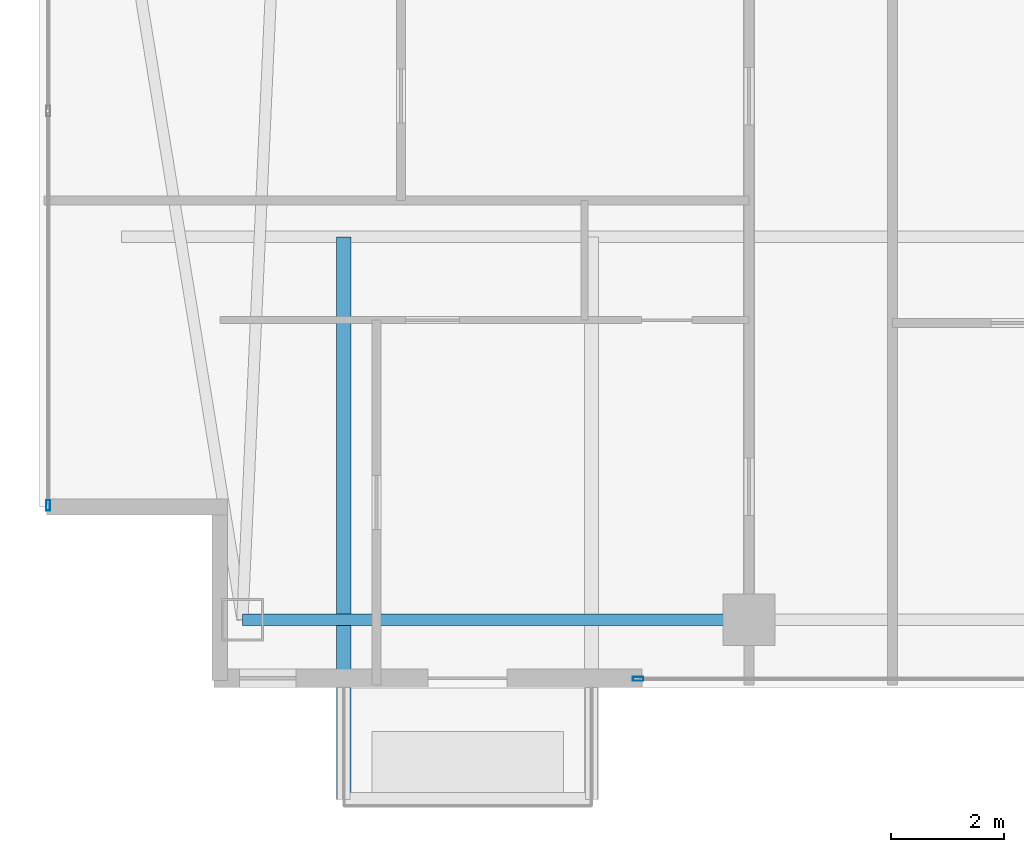
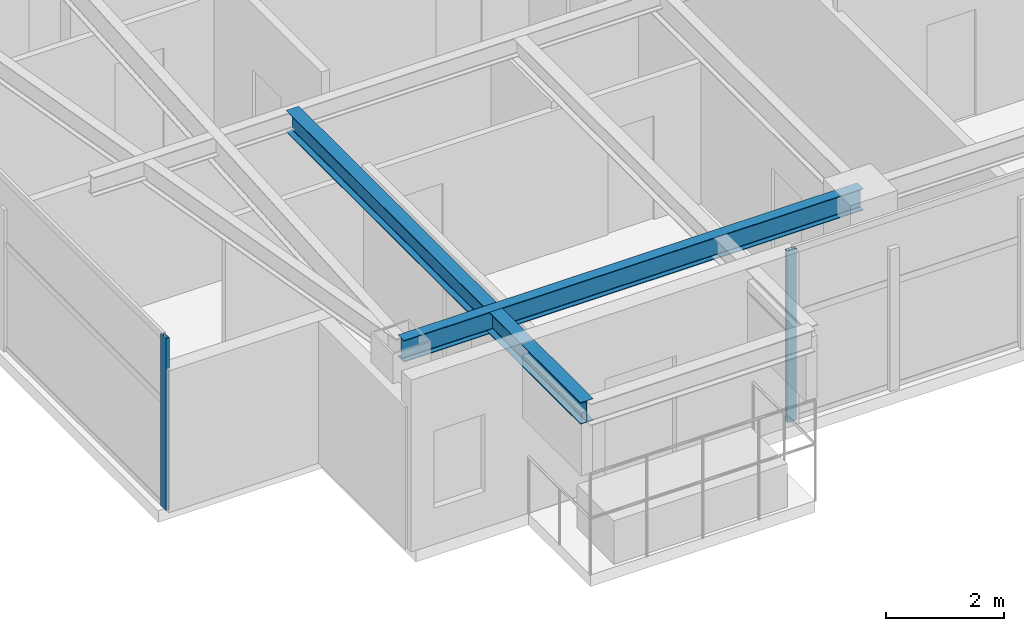
# One storey, part 2 of 30: 2 beams, 2 members, 2 elements without a shape of their own.
"""IFC4 building model written with IfcOpenShell, lengths in metres."""

from ifc_helpers import new_model, si_unit, direction, frame, origin, origin_2d, place, context, subcontext, project, spatial, hollow_rectangle, i_section, extrude, material, layer, layer_set, material_profile, profile_set, type_object, element, aggregate, save


model = new_model("IFC4")

# Units and contexts
model_context = context("Model", 3, precision=1e-05, world=origin(), true_north=direction((0.0, 1.0)))
body_context = subcontext(model_context, "Body", "Model", "MODEL_VIEW")
ifc_project = project(units=[si_unit("LENGTHUNIT", "METRE"), si_unit("AREAUNIT", "SQUARE_METRE"), si_unit("VOLUMEUNIT", "CUBIC_METRE"), si_unit("PLANEANGLEUNIT", "RADIAN"), si_unit("MASSUNIT", "GRAM", prefix="KILO")], contexts=[model_context])

# Site, building, storey
site_placement = place(None, origin())
site = spatial("IfcSite", under=ifc_project, at=site_placement, CompositionType="ELEMENT")
building_placement = place(site_placement, origin())
building = spatial("IfcBuilding", under=site, at=building_placement, Name="Calvorn Quay Hotel", CompositionType="ELEMENT")
storey_placement = place(building_placement, frame((0.0, 0.0, 207.199951171875)))
storey = spatial("IfcBuildingStorey", under=building, at=storey_placement, Name="L51", CompositionType="ELEMENT", Elevation=207.199951171875)

# Beams
ifc_material_1 = material(Name="Steel Q355B", Category="steel")
ifc_material_profile_1 = material_profile(ifc_material_1, i_section(OverallWidth=0.25, OverallDepth=0.449951171875, WebThickness=0.011962890625, FlangeThickness=0.01611328125, FilletRadius=0.01611328125, at=origin_2d()), Name="HN450x250x12x16")
ifc_profile_set_1 = profile_set([ifc_material_profile_1], Name="Steel Q355B")
beam_type_1 = type_object("IfcBeamType", Name="BM-CANT-BALC", PredefinedType="BEAM", material=ifc_profile_set_1)
beam_1_placement = place(storey_placement, frame((5.39990234375, 10.39990234375, 3.31494140625), z_axis=(0.0, -1.0, 0.0), x_axis=(1.0, 0.0, 0.0)))
element("IfcBeam", 1, at=beam_1_placement, inside=storey, type_object=beam_type_1, Name="Cantilever Balcony Beam BCB-L52-2A", PredefinedType="BEAM", context=body_context, shape_type="SweptSolid", body=[
    extrude(i_section(OverallWidth=0.25, OverallDepth=0.449951171875, WebThickness=0.011962890625, FlangeThickness=0.01611328125, FilletRadius=0.01611328125, at=origin_2d()), origin(), (0.0, 0.0, 1.0), 9.989990234375),
])
ifc_material_2 = material(Name="Steel Q355B", Category="steel")
ifc_material_profile_2 = material_profile(ifc_material_2, i_section(OverallWidth=0.199951171875, OverallDepth=0.449951171875, WebThickness=0.009033203125, FlangeThickness=0.013916015625, FilletRadius=0.01611328125, at=origin_2d()), Name="HN450x200x9x14")
ifc_profile_set_2 = profile_set([ifc_material_profile_2], Name="Steel Q355B")
beam_type_2 = type_object("IfcBeamType", Name="BM-SPANDREL-Z3", PredefinedType="SPANDREL", material=ifc_profile_set_2)
beam_2_placement = place(storey_placement, frame((3.60009765625, 3.60009765625, 3.31494140625), z_axis=(1.0, 0.0, 0.0), x_axis=(0.0, 1.0, 0.0)))
element("IfcBeam", 2, at=beam_2_placement, inside=storey, type_object=beam_type_2, Name="Beam BSP-L51-S1", PredefinedType="SPANDREL", context=body_context, shape_type="SweptSolid", body=[
    extrude(i_section(OverallWidth=0.199951171875, OverallDepth=0.449951171875, WebThickness=0.009033203125, FlangeThickness=0.013916015625, FilletRadius=0.01611328125, at=origin_2d()), origin(), (0.0, 0.0, 1.0), 9.0),
])

# Curtain wall, member
ifc_material_3 = material(Name="Champagne Bronze Anodised Aluminium and Low-E Glass", Category="aluminium")
ifc_layer = layer(ifc_material_3, 0.219970703125)
ifc_layer_set = layer_set([ifc_layer], Name="CW-SYS-Z3")
curtain_wall_type = type_object("IfcCurtainWallType", Name="CW-SYS-Z3", PredefinedType="NOTDEFINED", material=ifc_layer_set)
curtain_wall_1_placement = place(storey_placement, origin())
curtain_wall_1 = element("IfcCurtainWall", 3, at=curtain_wall_1_placement, inside=storey, type_object=curtain_wall_type, Name="Tower West Curtain Wall (L51)", PredefinedType="NOTDEFINED")
ifc_material_4 = material(Name="Champagne Bronze Anodised Aluminium 6063-T6", Category="aluminium")
ifc_material_profile_3 = material_profile(ifc_material_4, hollow_rectangle(XDim=0.068115234375, YDim=0.18505859375, WallThickness=0.00390625, at=origin_2d()), Name="ALU-M185x68x4")
ifc_profile_set_3 = profile_set([ifc_material_profile_3], Name="Champagne Bronze Anodised Aluminium 6063-T6")
member_type = type_object("IfcMemberType", Name="CW-SYS-Z3-MUL", PredefinedType="MULLION", material=ifc_profile_set_3)
member_1_placement = place(storey_placement, frame((0.14990234375, 5.6298828125, 0.0), z_axis=(0.0, 0.0, 1.0), x_axis=(-1.0, 0.0, 0.0)))
member_1 = element("IfcMember", 4, at=member_1_placement, type_object=member_type, Name="CW-L51-W mullion 1", PredefinedType="MULLION", context=body_context, shape_type="SweptSolid", body=[
    extrude(hollow_rectangle(XDim=0.068115234375, YDim=0.18505859375, WallThickness=0.00390625, at=origin_2d()), origin(), (0.0, 0.0, 1.0), 3.56005859375),
])
aggregate(curtain_wall_1, [member_1])

curtain_wall_2_placement = place(storey_placement, origin())
curtain_wall_2 = element("IfcCurtainWall", 5, at=curtain_wall_2_placement, inside=storey, type_object=curtain_wall_type, Name="Tower South Waterfront Curtain Wall (L51)", PredefinedType="NOTDEFINED")
member_2_placement = place(storey_placement, frame((10.6298828125, 2.550048828125, 0.0), z_axis=(0.0, 0.0, 1.0), x_axis=(0.0, 1.0, 0.0)))
member_2 = element("IfcMember", 6, at=member_2_placement, type_object=member_type, Name="CW-L51-S mullion 1", PredefinedType="MULLION", context=body_context, shape_type="SweptSolid", body=[
    extrude(hollow_rectangle(XDim=0.068115234375, YDim=0.18505859375, WallThickness=0.00390625, at=origin_2d()), origin(), (0.0, 0.0, 1.0), 3.56005859375),
])
aggregate(curtain_wall_2, [member_2])

save(model, "model.ifc")
